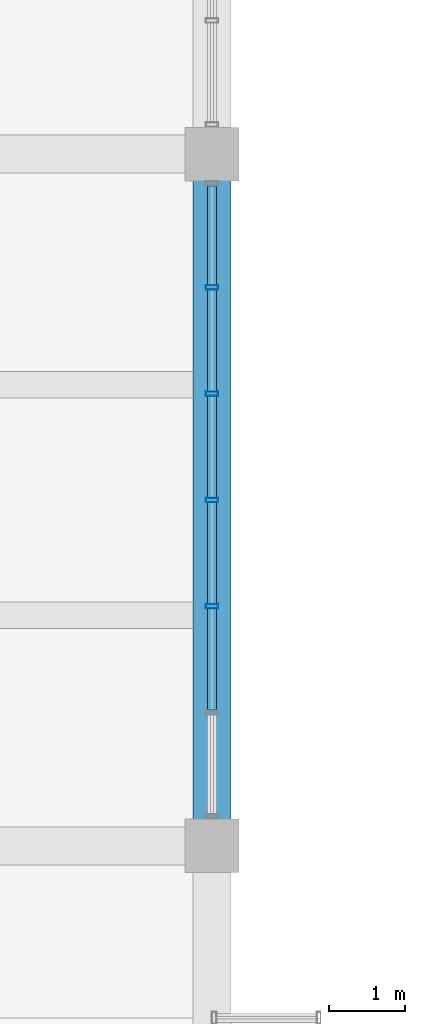
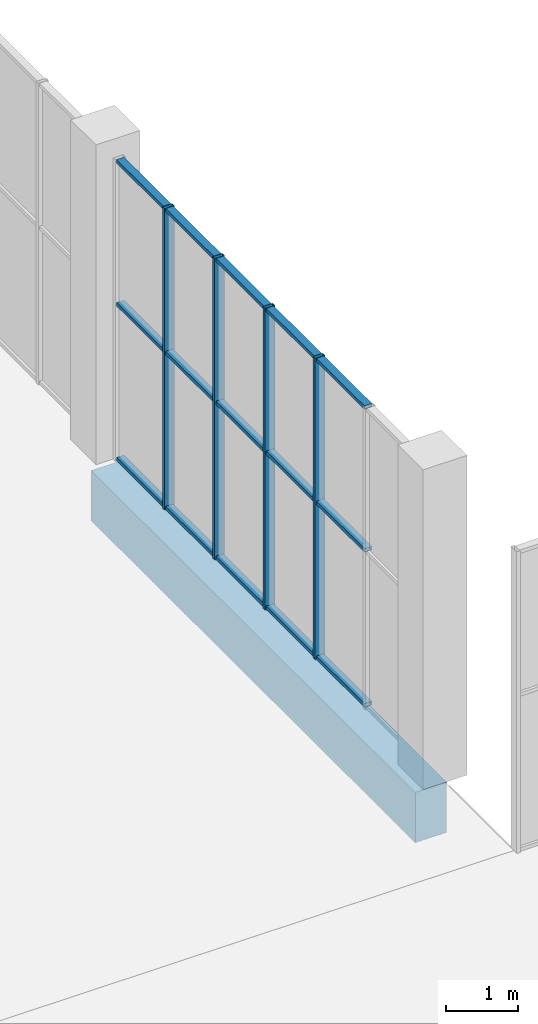
# One storey, part 16 of 91: 19 members, 1 beam, 1 element without a shape of its own.
"""IFC4 building model written with IfcOpenShell, lengths in metres."""

from ifc_helpers import new_model, si_unit, direction, frame, origin, origin_2d, place, context, subcontext, project, spatial, rectangle, hollow_rectangle, extrude, material, material_profile, profile_set, type_object, element, aggregate, save


model = new_model("IFC4")

# Units and contexts
model_context = context("Model", 3, precision=1e-05, world=origin(), true_north=direction((0.0, 1.0)))
body_context = subcontext(model_context, "Body", "Model", "MODEL_VIEW")
ifc_project = project(units=[si_unit("LENGTHUNIT", "METRE"), si_unit("AREAUNIT", "SQUARE_METRE"), si_unit("VOLUMEUNIT", "CUBIC_METRE"), si_unit("PLANEANGLEUNIT", "RADIAN"), si_unit("MASSUNIT", "GRAM", prefix="KILO")], contexts=[model_context])

# Site, building, storey
site_placement = place(None, origin())
site = spatial("IfcSite", under=ifc_project, at=site_placement, CompositionType="ELEMENT")
building_placement = place(site_placement, origin())
building = spatial("IfcBuilding", under=site, at=building_placement, Name="Khurvash Pelagic Aquarium", CompositionType="ELEMENT")
storey_placement = place(building_placement, origin())
storey = spatial("IfcBuildingStorey", under=building, at=storey_placement, Name="L00", CompositionType="ELEMENT", Elevation=0.0)

# Curtain wall, members
ifc_material_1 = material(Name="Anodised aluminium and low-E laminated glass", Category="aluminium")
curtain_wall_type = type_object("IfcCurtainWallType", Name="CW-05", PredefinedType="USERDEFINED", material=ifc_material_1)
curtain_wall_placement = place(storey_placement, origin())
curtain_wall = element("IfcCurtainWall", 1, at=curtain_wall_placement, inside=storey, type_object=curtain_wall_type, Name="L00 Facade Unitised Curtain Wall CW-05 0075", ObjectType="UNITISED CURTAIN WALL", PredefinedType="USERDEFINED")
ifc_material_2 = material(Name="Extruded aluminium AW-6063-T6", Category="aluminium")
ifc_material_profile_1 = material_profile(ifc_material_2, hollow_rectangle(XDim=0.06005859375, YDim=0.159912109375, WallThickness=0.00390625, at=origin_2d()), Name="CWM60X160X4")
ifc_profile_set_1 = profile_set([ifc_material_profile_1], Name="Extruded aluminium AW-6063-T6")
member_type_1 = type_object("IfcMemberType", Name="CM-02", PredefinedType="MULLION", material=ifc_profile_set_1)
member_1_placement = place(storey_placement, frame((33.60009765625, 41.93505859375, 0.0), z_axis=(0.0, 0.0, 1.0), x_axis=(0.0, 1.0, 0.0)))
member_1 = element("IfcMember", 2, at=member_1_placement, type_object=member_type_1, Name="CW-05 mullion 3", PredefinedType="MULLION", context=body_context, shape_type="SweptSolid", body=[
    extrude(hollow_rectangle(XDim=0.06005859375, YDim=0.159912109375, WallThickness=0.00390625, at=origin_2d()), origin(), (0.0, 0.0, 1.0), 5.090087890625),
])
member_2_placement = place(storey_placement, frame((33.60009765625, 43.324951171875, 0.0), z_axis=(0.0, 0.0, 1.0), x_axis=(0.0, 1.0, 0.0)))
member_2 = element("IfcMember", 3, at=member_2_placement, type_object=member_type_1, Name="CW-05 mullion 4", PredefinedType="MULLION", context=body_context, shape_type="SweptSolid", body=[
    extrude(hollow_rectangle(XDim=0.06005859375, YDim=0.159912109375, WallThickness=0.00390625, at=origin_2d()), origin(), (0.0, 0.0, 1.0), 5.090087890625),
])
member_3_placement = place(storey_placement, frame((33.60009765625, 44.715087890625, 0.0), z_axis=(0.0, 0.0, 1.0), x_axis=(0.0, 1.0, 0.0)))
member_3 = element("IfcMember", 4, at=member_3_placement, type_object=member_type_1, Name="CW-05 mullion 5", PredefinedType="MULLION", context=body_context, shape_type="SweptSolid", body=[
    extrude(hollow_rectangle(XDim=0.06005859375, YDim=0.159912109375, WallThickness=0.00390625, at=origin_2d()), origin(), (0.0, 0.0, 1.0), 5.090087890625),
])
member_4_placement = place(storey_placement, frame((33.60009765625, 46.10498046875, 0.0), z_axis=(0.0, 0.0, 1.0), x_axis=(0.0, 1.0, 0.0)))
member_4 = element("IfcMember", 5, at=member_4_placement, type_object=member_type_1, Name="CW-05 mullion 6", PredefinedType="MULLION", context=body_context, shape_type="SweptSolid", body=[
    extrude(hollow_rectangle(XDim=0.06005859375, YDim=0.159912109375, WallThickness=0.00390625, at=origin_2d()), origin(), (0.0, 0.0, 1.0), 5.090087890625),
])
ifc_material_profile_2 = material_profile(ifc_material_2, hollow_rectangle(XDim=0.1201171875, YDim=0.06005859375, WallThickness=0.00390625, at=origin_2d()), Name="CWT120X60X4")
ifc_profile_set_2 = profile_set([ifc_material_profile_2], Name="Extruded aluminium AW-6063-T6")
member_type_2 = type_object("IfcMemberType", Name="CT-02", PredefinedType="USERDEFINED", material=ifc_profile_set_2)
member_5_placement = place(storey_placement, frame((33.60009765625, 40.574951171875, 0.030029296875), z_axis=(0.0, 1.0, 0.0), x_axis=(-1.0, 0.0, 0.0)))
member_5 = element("IfcMember", 6, at=member_5_placement, type_object=member_type_2, Name="CW-05 transom 2.1", ObjectType="TRANSOM", PredefinedType="USERDEFINED", context=body_context, shape_type="SweptSolid", body=[
    extrude(hollow_rectangle(XDim=0.1201171875, YDim=0.06005859375, WallThickness=0.00390625, at=origin_2d()), origin(), (0.0, 0.0, 1.0), 1.330078125),
])
member_6_placement = place(storey_placement, frame((33.60009765625, 40.574951171875, 2.64697265625), z_axis=(0.0, 1.0, 0.0), x_axis=(-1.0, 0.0, 0.0)))
member_6 = element("IfcMember", 7, at=member_6_placement, type_object=member_type_2, Name="CW-05 transom 2.2", ObjectType="TRANSOM", PredefinedType="USERDEFINED", context=body_context, shape_type="SweptSolid", body=[
    extrude(hollow_rectangle(XDim=0.1201171875, YDim=0.06005859375, WallThickness=0.00390625, at=origin_2d()), origin(), (0.0, 0.0, 1.0), 1.330078125),
])
member_7_placement = place(storey_placement, frame((33.60009765625, 40.574951171875, 5.06005859375), z_axis=(0.0, 1.0, 0.0), x_axis=(-1.0, 0.0, 0.0)))
member_7 = element("IfcMember", 8, at=member_7_placement, type_object=member_type_2, Name="CW-05 transom 2.3", ObjectType="TRANSOM", PredefinedType="USERDEFINED", context=body_context, shape_type="SweptSolid", body=[
    extrude(hollow_rectangle(XDim=0.1201171875, YDim=0.06005859375, WallThickness=0.00390625, at=origin_2d()), origin(), (0.0, 0.0, 1.0), 1.330078125),
])
member_8_placement = place(storey_placement, frame((33.60009765625, 41.965087890625, 0.030029296875), z_axis=(0.0, 1.0, 0.0), x_axis=(-1.0, 0.0, 0.0)))
member_8 = element("IfcMember", 9, at=member_8_placement, type_object=member_type_2, Name="CW-05 transom 3.1", ObjectType="TRANSOM", PredefinedType="USERDEFINED", context=body_context, shape_type="SweptSolid", body=[
    extrude(hollow_rectangle(XDim=0.1201171875, YDim=0.06005859375, WallThickness=0.00390625, at=origin_2d()), origin(), (0.0, 0.0, 1.0), 1.329833984375),
])
member_9_placement = place(storey_placement, frame((33.60009765625, 41.965087890625, 2.64697265625), z_axis=(0.0, 1.0, 0.0), x_axis=(-1.0, 0.0, 0.0)))
member_9 = element("IfcMember", 10, at=member_9_placement, type_object=member_type_2, Name="CW-05 transom 3.2", ObjectType="TRANSOM", PredefinedType="USERDEFINED", context=body_context, shape_type="SweptSolid", body=[
    extrude(hollow_rectangle(XDim=0.1201171875, YDim=0.06005859375, WallThickness=0.00390625, at=origin_2d()), origin(), (0.0, 0.0, 1.0), 1.329833984375),
])
member_10_placement = place(storey_placement, frame((33.60009765625, 41.965087890625, 5.06005859375), z_axis=(0.0, 1.0, 0.0), x_axis=(-1.0, 0.0, 0.0)))
member_10 = element("IfcMember", 11, at=member_10_placement, type_object=member_type_2, Name="CW-05 transom 3.3", ObjectType="TRANSOM", PredefinedType="USERDEFINED", context=body_context, shape_type="SweptSolid", body=[
    extrude(hollow_rectangle(XDim=0.1201171875, YDim=0.06005859375, WallThickness=0.00390625, at=origin_2d()), origin(), (0.0, 0.0, 1.0), 1.329833984375),
])
member_11_placement = place(storey_placement, frame((33.60009765625, 43.35498046875, 0.030029296875), z_axis=(0.0, 1.0, 0.0), x_axis=(-1.0, 0.0, 0.0)))
member_11 = element("IfcMember", 12, at=member_11_placement, type_object=member_type_2, Name="CW-05 transom 4.1", ObjectType="TRANSOM", PredefinedType="USERDEFINED", context=body_context, shape_type="SweptSolid", body=[
    extrude(hollow_rectangle(XDim=0.1201171875, YDim=0.06005859375, WallThickness=0.00390625, at=origin_2d()), origin(), (0.0, 0.0, 1.0), 1.330078125),
])
member_12_placement = place(storey_placement, frame((33.60009765625, 43.35498046875, 2.64697265625), z_axis=(0.0, 1.0, 0.0), x_axis=(-1.0, 0.0, 0.0)))
member_12 = element("IfcMember", 13, at=member_12_placement, type_object=member_type_2, Name="CW-05 transom 4.2", ObjectType="TRANSOM", PredefinedType="USERDEFINED", context=body_context, shape_type="SweptSolid", body=[
    extrude(hollow_rectangle(XDim=0.1201171875, YDim=0.06005859375, WallThickness=0.00390625, at=origin_2d()), origin(), (0.0, 0.0, 1.0), 1.330078125),
])
member_13_placement = place(storey_placement, frame((33.60009765625, 43.35498046875, 5.06005859375), z_axis=(0.0, 1.0, 0.0), x_axis=(-1.0, 0.0, 0.0)))
member_13 = element("IfcMember", 14, at=member_13_placement, type_object=member_type_2, Name="CW-05 transom 4.3", ObjectType="TRANSOM", PredefinedType="USERDEFINED", context=body_context, shape_type="SweptSolid", body=[
    extrude(hollow_rectangle(XDim=0.1201171875, YDim=0.06005859375, WallThickness=0.00390625, at=origin_2d()), origin(), (0.0, 0.0, 1.0), 1.330078125),
])
member_14_placement = place(storey_placement, frame((33.60009765625, 44.7451171875, 0.030029296875), z_axis=(0.0, 1.0, 0.0), x_axis=(-1.0, 0.0, 0.0)))
member_14 = element("IfcMember", 15, at=member_14_placement, type_object=member_type_2, Name="CW-05 transom 5.1", ObjectType="TRANSOM", PredefinedType="USERDEFINED", context=body_context, shape_type="SweptSolid", body=[
    extrude(hollow_rectangle(XDim=0.1201171875, YDim=0.06005859375, WallThickness=0.00390625, at=origin_2d()), origin(), (0.0, 0.0, 1.0), 1.329833984375),
])
member_15_placement = place(storey_placement, frame((33.60009765625, 44.7451171875, 2.64697265625), z_axis=(0.0, 1.0, 0.0), x_axis=(-1.0, 0.0, 0.0)))
member_15 = element("IfcMember", 16, at=member_15_placement, type_object=member_type_2, Name="CW-05 transom 5.2", ObjectType="TRANSOM", PredefinedType="USERDEFINED", context=body_context, shape_type="SweptSolid", body=[
    extrude(hollow_rectangle(XDim=0.1201171875, YDim=0.06005859375, WallThickness=0.00390625, at=origin_2d()), origin(), (0.0, 0.0, 1.0), 1.329833984375),
])
member_16_placement = place(storey_placement, frame((33.60009765625, 44.7451171875, 5.06005859375), z_axis=(0.0, 1.0, 0.0), x_axis=(-1.0, 0.0, 0.0)))
member_16 = element("IfcMember", 17, at=member_16_placement, type_object=member_type_2, Name="CW-05 transom 5.3", ObjectType="TRANSOM", PredefinedType="USERDEFINED", context=body_context, shape_type="SweptSolid", body=[
    extrude(hollow_rectangle(XDim=0.1201171875, YDim=0.06005859375, WallThickness=0.00390625, at=origin_2d()), origin(), (0.0, 0.0, 1.0), 1.329833984375),
])
member_17_placement = place(storey_placement, frame((33.60009765625, 46.135009765625, 0.030029296875), z_axis=(0.0, 1.0, 0.0), x_axis=(-1.0, 0.0, 0.0)))
member_17 = element("IfcMember", 18, at=member_17_placement, type_object=member_type_2, Name="CW-05 transom 6.1", ObjectType="TRANSOM", PredefinedType="USERDEFINED", context=body_context, shape_type="SweptSolid", body=[
    extrude(hollow_rectangle(XDim=0.1201171875, YDim=0.06005859375, WallThickness=0.00390625, at=origin_2d()), origin(), (0.0, 0.0, 1.0), 1.300048828125),
])
member_18_placement = place(storey_placement, frame((33.60009765625, 46.135009765625, 2.64697265625), z_axis=(0.0, 1.0, 0.0), x_axis=(-1.0, 0.0, 0.0)))
member_18 = element("IfcMember", 19, at=member_18_placement, type_object=member_type_2, Name="CW-05 transom 6.2", ObjectType="TRANSOM", PredefinedType="USERDEFINED", context=body_context, shape_type="SweptSolid", body=[
    extrude(hollow_rectangle(XDim=0.1201171875, YDim=0.06005859375, WallThickness=0.00390625, at=origin_2d()), origin(), (0.0, 0.0, 1.0), 1.300048828125),
])
member_19_placement = place(storey_placement, frame((33.60009765625, 46.135009765625, 5.06005859375), z_axis=(0.0, 1.0, 0.0), x_axis=(-1.0, 0.0, 0.0)))
member_19 = element("IfcMember", 20, at=member_19_placement, type_object=member_type_2, Name="CW-05 transom 6.3", ObjectType="TRANSOM", PredefinedType="USERDEFINED", context=body_context, shape_type="SweptSolid", body=[
    extrude(hollow_rectangle(XDim=0.1201171875, YDim=0.06005859375, WallThickness=0.00390625, at=origin_2d()), origin(), (0.0, 0.0, 1.0), 1.300048828125),
])
aggregate(curtain_wall, [member_1, member_2, member_3, member_4, member_5, member_6, member_7, member_8, member_9, member_10, member_11, member_12, member_13, member_14, member_15, member_16, member_17, member_18, member_19])

# Beam
ifc_material_3 = material(Name="Concrete C40/50", Category="concrete")
ifc_material_profile_3 = material_profile(ifc_material_3, rectangle(XDim=0.5, YDim=0.85009765625, at=origin_2d()), Name="RC500X850")
ifc_profile_set_3 = profile_set([ifc_material_profile_3], Name="Concrete C40/50")
beam_type = type_object("IfcBeamType", Name="SEB-03", PredefinedType="SPANDREL", material=ifc_profile_set_3)
beam_placement = place(storey_placement, frame((33.60009765625, 38.840087890625, -0.7451171875), z_axis=(0.0, 1.0, 0.0), x_axis=(-1.0, 0.0, 0.0)))
element("IfcBeam", 21, at=beam_placement, inside=storey, type_object=beam_type, Name="L00 Primary Girder SEB-03 00092", PredefinedType="SPANDREL", context=body_context, shape_type="SweptSolid", body=[
    extrude(rectangle(XDim=0.5, YDim=0.85009765625, at=origin_2d()), origin(), (0.0, 0.0, 1.0), 8.969970703125),
])

save(model, "model.ifc")
